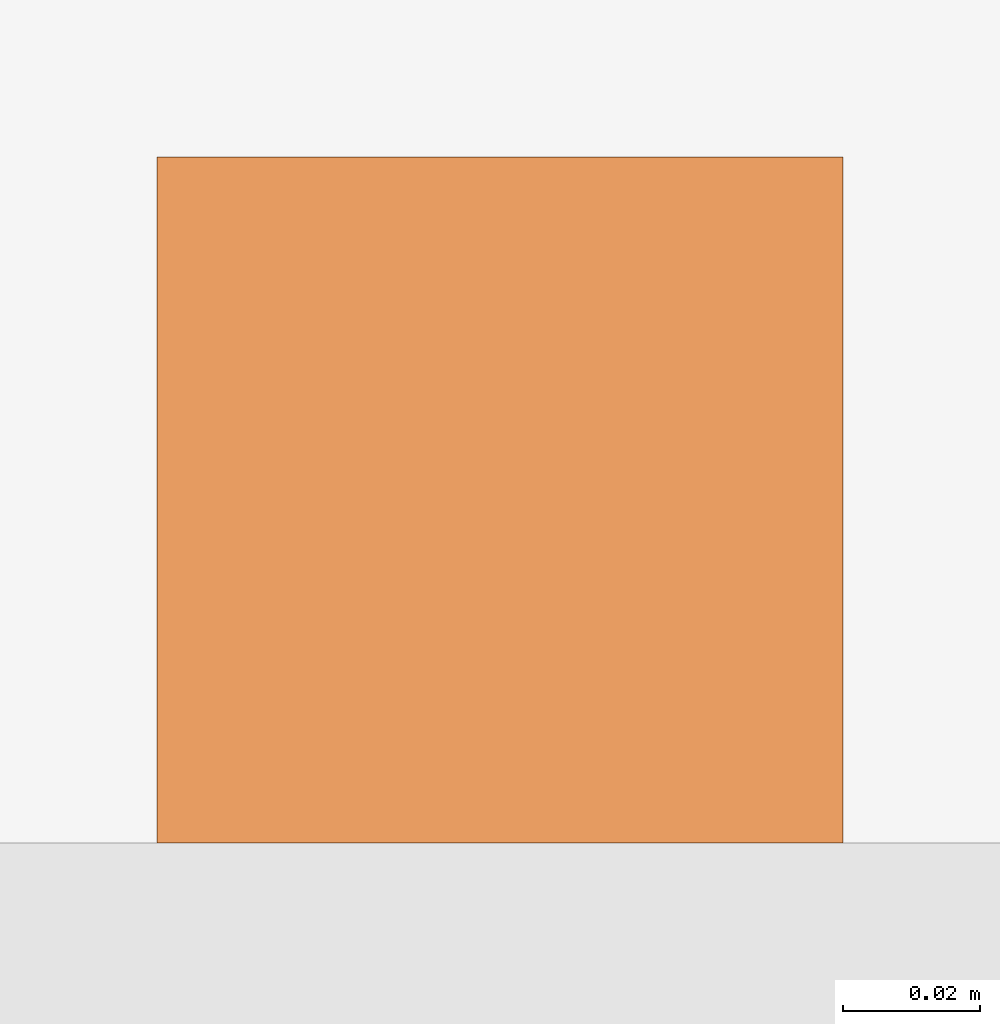
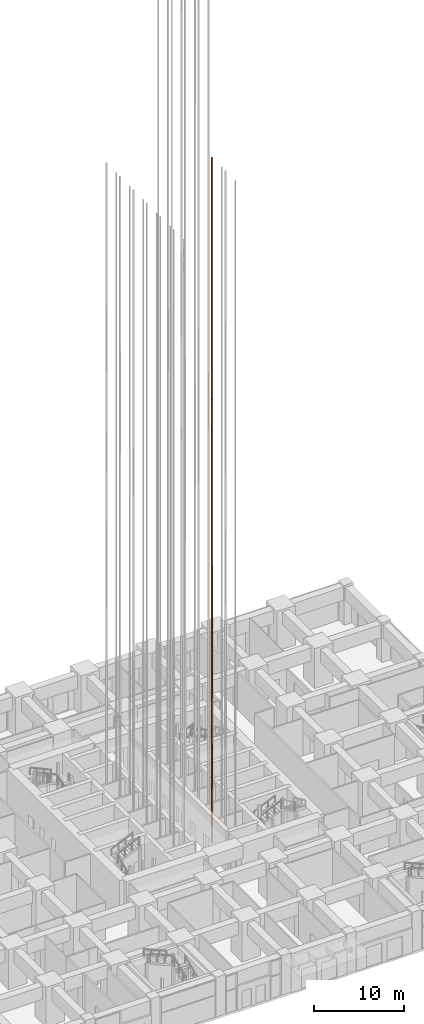
# One storey, part 65 of 81: 1 proxy.
"""IFC4 building model written with IfcOpenShell, lengths in metres."""

from ifc_helpers import new_model, si_unit, direction, frame, origin, origin_2d, place, context, subcontext, project, spatial, rectangle, extrude, material, type_object, element, save


model = new_model("IFC4")

# Units and contexts
model_context = context("Model", 3, precision=1e-05, world=origin(), true_north=direction((0.0, 1.0)))
body_context = subcontext(model_context, "Body", "Model", "MODEL_VIEW")
ifc_project = project(units=[si_unit("LENGTHUNIT", "METRE"), si_unit("AREAUNIT", "SQUARE_METRE"), si_unit("VOLUMEUNIT", "CUBIC_METRE"), si_unit("PLANEANGLEUNIT", "RADIAN"), si_unit("MASSUNIT", "GRAM", prefix="KILO")], contexts=[model_context])

# Site, building, storey
site_placement = place(None, origin())
site = spatial("IfcSite", under=ifc_project, at=site_placement, CompositionType="ELEMENT")
building_placement = place(site_placement, origin())
building = spatial("IfcBuilding", under=site, at=building_placement, Name="Rekha Terrace Tower", CompositionType="ELEMENT")
storey_placement = place(building_placement, origin())
storey = spatial("IfcBuildingStorey", under=building, at=storey_placement, Name="L00", CompositionType="ELEMENT", Elevation=0.0)

# Proxy
ifc_material = material(Name="Steel guide rail", Category="steel")
building_element_proxy_type = type_object("IfcBuildingElementProxyType", Name="LR1 100 lift guide rail", PredefinedType="ELEMENT", material=ifc_material)
proxy_placement = place(storey_placement, frame((41.14990234375, 29.0, 0.0), z_axis=(0.0, 0.0, 1.0), x_axis=(1.0, 0.0, 0.0)))
element("IfcBuildingElementProxy", 1, at=proxy_placement, inside=storey, type_object=building_element_proxy_type, Name="Lift SH2 guide rail 2", PredefinedType="ELEMENT", context=body_context, shape_type="SweptSolid", body=[
    extrude(rectangle(XDim=0.10009765625, YDim=0.10009765625, at=origin_2d()), origin(), (0.0, 0.0, 1.0), 93.199951171875),
])

save(model, "model.ifc")
